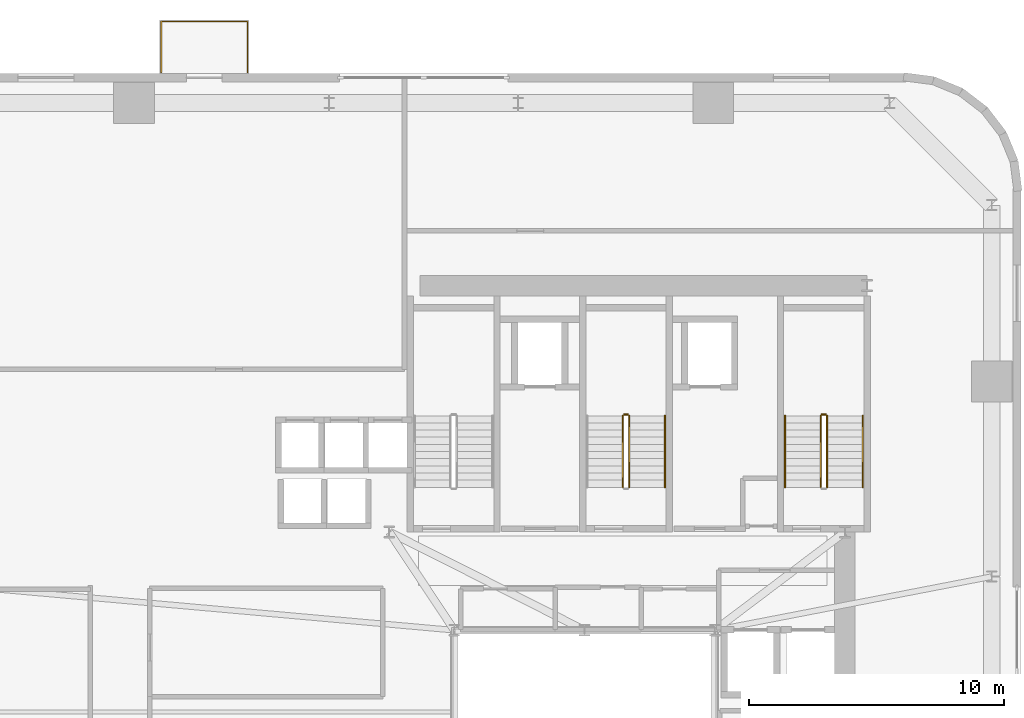
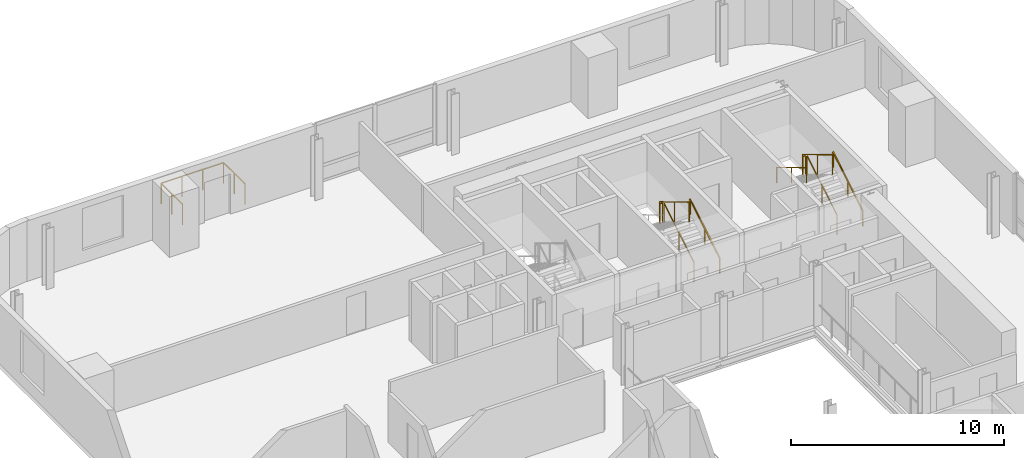
# One storey, part 13 of 13: 10 railings.
"""IFC4 building model written with IfcOpenShell, lengths in metres."""

import ifcopenshell
import ifcopenshell.guid

model = None  # the IFC model being written
_history = None  # IfcOwnerHistory: only IFC2X3 demands one
_inside = {}  # id of a spatial element -> (the spatial element, [elements in it])
_under = {}  # id of a project, library or spatial element -> (it, [spatial elements below it])
_declared = {}  # id of a project -> (the project, [libraries it declares])
_typed = {}  # id of a type object -> (the type object, [elements of that type])
_made_of = {}  # id of a material, layer set ... -> (it, [elements and type objects made of it])


def new_model(schema):
    """Start an empty IFC model of exactly this schema.

    Asked for "IFC4X3", IfcOpenShell would pick the latest addendum, in which some entities
    have other attributes; the version numbers below select the first issue.
    IFC2X3 requires an IfcOwnerHistory on every rooted entity: one is made here for all.
    """
    global model, _history
    if schema == "IFC4X3":
        model = ifcopenshell.file(schema_version=(4, 3, 0, 0))
    else:
        model = ifcopenshell.file(schema=schema)
    _inside.clear()
    _under.clear()
    _declared.clear()
    _typed.clear()
    _made_of.clear()
    _history = None
    if model.schema == "IFC2X3":
        org = make("IfcOrganization", Name="unknown")
        user = make(
            "IfcPersonAndOrganization",
            ThePerson=make("IfcPerson", FamilyName="unknown"),
            TheOrganization=org,
        )
        app = make(
            "IfcApplication",
            ApplicationDeveloper=org,
            Version="unknown",
            ApplicationFullName="unknown",
            ApplicationIdentifier="unknown",
        )
        _history = make(
            "IfcOwnerHistory",
            OwningUser=user,
            OwningApplication=app,
            ChangeAction="ADDED",
            CreationDate=0,
        )
    return model


def make(cls, **values):
    """One entity of the class cls with the attributes given. An attribute that is None is left unset."""
    return model.create_entity(
        cls, **{name: value for name, value in values.items() if value is not None}
    )


def rooted(cls, **values):
    """An entity with a GlobalId (a new one), such as an element, a storey or a relation."""
    return make(cls, GlobalId=ifcopenshell.guid.new(), OwnerHistory=_history, **values)


def si_unit(unit_type, name, prefix=None):
    """IfcSIUnit, for example si_unit("LENGTHUNIT", "METRE", prefix="MILLI")."""
    return make("IfcSIUnit", UnitType=unit_type, Prefix=prefix, Name=name)


def assignment(units):
    """IfcUnitAssignment: the units of a project."""
    return None if units is None else make("IfcUnitAssignment", Units=units)


def point(xyz):
    """IfcCartesianPoint."""
    return None if xyz is None else make("IfcCartesianPoint", Coordinates=xyz)


def direction(xyz):
    """IfcDirection."""
    return None if xyz is None else make("IfcDirection", DirectionRatios=xyz)


def frame(location, z_axis=None, x_axis=None):
    """IfcAxis2Placement3D, a coordinate frame: its origin and axes. An axis left out is left unset."""
    return make(
        "IfcAxis2Placement3D",
        Location=point(location),
        Axis=direction(z_axis),
        RefDirection=direction(x_axis),
    )


def frame_2d(location, x_axis=None):
    """IfcAxis2Placement2D, a coordinate frame in the plane: its origin and x axis."""
    return make(
        "IfcAxis2Placement2D", Location=point(location), RefDirection=direction(x_axis)
    )


def origin():
    """The frame at (0, 0, 0) with its axes left unset."""
    return frame((0.0, 0.0, 0.0))


def origin_2d():
    """The frame at (0, 0) in the plane with its x axis left unset."""
    return frame_2d((0.0, 0.0))


def place(relative_to, where):
    """IfcLocalPlacement: puts the frame where relative to a parent placement (None: the world)."""
    return make(
        "IfcLocalPlacement", PlacementRelTo=relative_to, RelativePlacement=where
    )


def context(
    kind, dimensions, precision=None, world=None, true_north=None, identifier=None
):
    """IfcGeometricRepresentationContext, for example the 3D "Model" context."""
    return make(
        "IfcGeometricRepresentationContext",
        ContextIdentifier=identifier,
        ContextType=kind,
        CoordinateSpaceDimension=dimensions,
        Precision=precision,
        WorldCoordinateSystem=world,
        TrueNorth=true_north,
    )


def subcontext(parent, identifier, kind, view, scale=None):
    """IfcGeometricRepresentationSubContext, for example "Body" below "Model"."""
    return make(
        "IfcGeometricRepresentationSubContext",
        ContextIdentifier=identifier,
        ContextType=kind,
        ParentContext=parent,
        TargetScale=scale,
        TargetView=view,
    )


def project(units=None, contexts=None):
    """IfcProject with its units and contexts."""
    return rooted(
        "IfcProject",
        Name="project",
        RepresentationContexts=contexts,
        UnitsInContext=assignment(units),
    )


def spatial(cls, under=None, at=None, **own):
    """A site, building, storey or space (cls), placed at a placement, below another one or the project."""
    s = rooted(cls, ObjectPlacement=at, **own)
    if under is not None:
        _under.setdefault(under.id(), (under, []))[1].append(s)
    return s


def profile(cls, at=None, kind="AREA", **sizes):
    """A parametric profile (cls). Its sizes go by their IFC names, for example OverallWidth=200.0."""
    return make(cls, ProfileType=kind, Position=at, **sizes)


def rectangle(**sizes):
    """IfcRectangleProfileDef."""
    return profile("IfcRectangleProfileDef", **sizes)


def extrude(swept, where, along, depth):
    """IfcExtrudedAreaSolid: the profile swept, set in the frame where, extruded along a direction by depth."""
    return make(
        "IfcExtrudedAreaSolid",
        SweptArea=swept,
        Position=where,
        ExtrudedDirection=direction(along),
        Depth=depth,
    )


def shape(context_of_items, identifier, shape_type, items):
    """IfcShapeRepresentation: the items that make up one representation, for example the "Body"."""
    return make(
        "IfcShapeRepresentation",
        ContextOfItems=context_of_items,
        RepresentationIdentifier=identifier,
        RepresentationType=shape_type,
        Items=items,
    )


def source(mapping_origin, context_of_items, identifier, shape_type, items):
    """IfcRepresentationMap: a shape defined once, which mapped items show again and again."""
    return make(
        "IfcRepresentationMap",
        MappingOrigin=mapping_origin,
        MappedRepresentation=shape(context_of_items, identifier, shape_type, items),
    )


def transform(
    local_origin,
    x_axis=None,
    y_axis=None,
    z_axis=None,
    scale=None,
    scale2=None,
    scale3=None,
    uniform=True,
):
    """IfcCartesianTransformationOperator3D, or its non-uniform kind. x_axis, y_axis, z_axis: its Axis1, 2, 3."""
    if uniform:
        return make(
            "IfcCartesianTransformationOperator3D",
            Axis1=direction(x_axis),
            Axis2=direction(y_axis),
            LocalOrigin=point(local_origin),
            Scale=scale,
            Axis3=direction(z_axis),
        )
    return make(
        "IfcCartesianTransformationOperator3DnonUniform",
        Axis1=direction(x_axis),
        Axis2=direction(y_axis),
        LocalOrigin=point(local_origin),
        Scale=scale,
        Axis3=direction(z_axis),
        Scale2=scale2,
        Scale3=scale3,
    )


def mapped(mapping_source, mapping_target):
    """IfcMappedItem: shows the shape of a source again, moved by a transform."""
    return make(
        "IfcMappedItem", MappingSource=mapping_source, MappingTarget=mapping_target
    )


def material(Name=None, Category=None):
    """IfcMaterial."""
    return make("IfcMaterial", Name=Name, Category=Category)


def made_of(thing, what):
    """Note that an element or type object is made of a material, layer set ...; save() writes the relation."""
    if what is not None:
        _made_of.setdefault(what.id(), (what, []))[1].append(thing)
    return thing


def type_object(cls, material=None, **own):
    """A type object (cls), such as IfcWallType, which elements share."""
    return made_of(rooted(cls, **own), material)


def element(
    cls,
    number,
    at=None,
    inside=None,
    cuts=None,
    type_object=None,
    material=None,
    context=None,
    identifier="Body",
    shape_type=None,
    held_by="IfcProductDefinitionShape",
    body=None,
    shapes=None,
    **own,
):
    """One element of the class cls, such as IfcWall. Its Tag is "e" and its number.

    at: its placement. inside: the storey or other place that contains it. cuts: it is an
    opening in that element (IfcRelVoidsElement). A single representation is given by context,
    identifier, shape_type and body (its items); several are given by shapes. held_by: the class
    of the entity that holds the representations. save() writes the other relations.
    """
    e = rooted(cls, Tag="e%d" % number, ObjectPlacement=at, **own)
    if body is not None:
        shapes = [shape(context, identifier, shape_type, body)]
    if shapes is not None:
        e.Representation = make(held_by, Representations=shapes)
    if inside is not None:
        _inside.setdefault(inside.id(), (inside, []))[1].append(e)
    if cuts is not None:
        rooted(
            "IfcRelVoidsElement", RelatingBuildingElement=cuts, RelatedOpeningElement=e
        )
    if type_object is not None:
        _typed.setdefault(type_object.id(), (type_object, []))[1].append(e)
    return made_of(e, material)


def aggregate(whole, parts):
    """IfcRelAggregates: a whole, such as a stair, and the parts it consists of."""
    return rooted("IfcRelAggregates", RelatingObject=whole, RelatedObjects=parts)


def save(model, path):
    """Write the relations noted so far, then the file.

    IfcRelAggregates (storeys below a building ...), IfcRelContainedInSpatialStructure (elements
    in a storey), IfcRelDefinesByType, IfcRelAssociatesMaterial and IfcRelDeclares: one each for
    every whole, place, type object, material and project.
    """
    for whole, parts in _under.values():
        aggregate(whole, parts)
    for where, things in _inside.values():
        rooted(
            "IfcRelContainedInSpatialStructure",
            RelatedElements=things,
            RelatingStructure=where,
        )
    for kind, things in _typed.values():
        rooted("IfcRelDefinesByType", RelatedObjects=things, RelatingType=kind)
    for what, things in _made_of.values():
        rooted("IfcRelAssociatesMaterial", RelatedObjects=things, RelatingMaterial=what)
    for by, libraries in _declared.values():
        rooted("IfcRelDeclares", RelatingContext=by, RelatedDefinitions=libraries)
    model.write(path)


model = new_model("IFC4")

# Units and contexts
model_context = context("Model", 3, precision=1e-05, world=origin(), true_north=direction((0.0, 1.0)))
body_context = subcontext(model_context, "Body", "Model", "MODEL_VIEW")
ifc_project = project(units=[si_unit("LENGTHUNIT", "METRE"), si_unit("AREAUNIT", "SQUARE_METRE"), si_unit("VOLUMEUNIT", "CUBIC_METRE"), si_unit("PLANEANGLEUNIT", "RADIAN"), si_unit("MASSUNIT", "GRAM", prefix="KILO")], contexts=[model_context])

# Site, building, storey
site_placement = place(None, origin())
site = spatial("IfcSite", under=ifc_project, at=site_placement, CompositionType="ELEMENT")
building_placement = place(site_placement, origin())
building = spatial("IfcBuilding", under=site, at=building_placement, Name="Vardaveli Station Tower", CompositionType="ELEMENT")
storey_placement = place(building_placement, frame((0.0, 0.0, 159.39990234375)))
storey = spatial("IfcBuildingStorey", under=building, at=storey_placement, Name="L41", CompositionType="ELEMENT", Elevation=159.39990234375)

# Railings
ifc_material_1 = material(Name="Laminated glass and stainless steel balustrade", Category="steel")
railing_type_1 = type_object("IfcRailingType", Name="RL-BAL-1200", PredefinedType="BALUSTRADE", material=ifc_material_1)
shared_shape_1 = source(origin(), body_context, "Body", "SweptSolid", [
    extrude(rectangle(XDim=0.048095703125, YDim=0.048095703125, at=origin_2d()), frame((0.0, 0.0, 1.17578125), z_axis=(0.0, 1.0, 0.0), x_axis=(-1.0, 0.0, 0.0)), (0.0, 0.0, 1.0), 2.0),
    extrude(rectangle(XDim=0.048095703125, YDim=0.048095703125, at=origin_2d()), frame((0.0, 2.0, 1.17578125), z_axis=(1.0, 0.0, 0.0), x_axis=(0.0, 1.0, 0.0)), (0.0, 0.0, 1.0), 3.3798828125),
    extrude(rectangle(XDim=0.048095703125, YDim=0.048095703125, at=origin_2d()), frame((3.3798828125, 2.0, 1.17578125), z_axis=(0.0, -1.0, 0.0), x_axis=(1.0, 0.0, 0.0)), (0.0, 0.0, 1.0), 2.0),
    extrude(rectangle(XDim=0.0419921875, YDim=0.0419921875, at=origin_2d()), origin(), (0.0, 0.0, 1.0), 1.15185546875),
    extrude(rectangle(XDim=0.0419921875, YDim=0.0419921875, at=origin_2d()), frame((0.0, 1.0, 0.0)), (0.0, 0.0, 1.0), 1.15185546875),
    extrude(rectangle(XDim=0.0419921875, YDim=0.0419921875, at=origin_2d()), frame((0.0, 2.0, 0.0)), (0.0, 0.0, 1.0), 1.15185546875),
    extrude(rectangle(XDim=0.0419921875, YDim=0.0419921875, at=origin_2d()), frame((1.126708984375, 2.0, 0.0)), (0.0, 0.0, 1.0), 1.15185546875),
    extrude(rectangle(XDim=0.0419921875, YDim=0.0419921875, at=origin_2d()), frame((2.253173828125, 2.0, 0.0)), (0.0, 0.0, 1.0), 1.15185546875),
    extrude(rectangle(XDim=0.0419921875, YDim=0.0419921875, at=origin_2d()), frame((3.3798828125, 2.0, 0.0)), (0.0, 0.0, 1.0), 1.15185546875),
    extrude(rectangle(XDim=0.0419921875, YDim=0.0419921875, at=origin_2d()), frame((3.3798828125, 1.0, 0.0)), (0.0, 0.0, 1.0), 1.15185546875),
    extrude(rectangle(XDim=0.0419921875, YDim=0.0419921875, at=origin_2d()), frame((3.3798828125, 0.0, 0.0)), (0.0, 0.0, 1.0), 1.15185546875),
])
railing_1_placement = place(storey_placement, frame((19.720458984375, 48.639892578125, 0.0)))
element("IfcRailing", 1, at=railing_1_placement, inside=storey, type_object=railing_type_1, Name="RL-LOG-L41-02", PredefinedType="BALUSTRADE", context=body_context, shape_type="MappedRepresentation", body=[
    mapped(shared_shape_1, transform((0.0, 0.0, 0.0), scale=1.0)),
])
ifc_material_2 = material(Name="Brushed AISI 316 stainless steel", Category="steel")
railing_type_2 = type_object("IfcRailingType", Name="RL-GUARD-1150", PredefinedType="GUARDRAIL", material=ifc_material_2)
shared_shape_2 = source(origin(), body_context, "Body", "SweptSolid", [
    extrude(rectangle(XDim=0.048095703125, YDim=0.048095703125, at=origin_2d()), frame((0.0, 0.0, 1.1259765625), z_axis=(-1.0, 0.0, 0.0), x_axis=(0.0, -1.0, 0.0)), (0.0, 0.0, 1.0), 0.14990234375),
    extrude(rectangle(XDim=0.0419921875, YDim=0.0419921875, at=origin_2d()), origin(), (0.0, 0.0, 1.0), 1.101806640625),
    extrude(rectangle(XDim=0.0419921875, YDim=0.0419921875, at=origin_2d()), frame((-0.14990234375, 0.0, 0.0)), (0.0, 0.0, 1.0), 1.101806640625),
])
for number, where, name in (
    (2, (38.0, 35.25, 1.85009765625), "L41 ST-2 stair guard 2"),
    (3, (45.75, 35.25, 1.85009765625), "L41 ST-3 stair guard 2"),
):
    element("IfcRailing", number, at=place(storey_placement, frame(where)), inside=storey, type_object=railing_type_2, Name=name, PredefinedType="GUARDRAIL", context=body_context, shape_type="MappedRepresentation", body=[
        mapped(shared_shape_2, transform((0.0, 0.0, 0.0), scale=1.0)),
    ])
shared_shape_3 = source(origin(), body_context, "Body", "SweptSolid", [
    extrude(rectangle(XDim=0.048095703125, YDim=0.048095703125, at=origin_2d()), frame((0.0, 0.0, 1.1259765625), z_axis=(0.0, -0.857242210791, 0.514913383045), x_axis=(1.0, 0.0, 0.0)), (0.0, 0.0, 1.0), 3.266357421875),
    extrude(rectangle(XDim=0.0419921875, YDim=0.0419921875, at=origin_2d()), origin(), (0.0, 0.0, 1.0), 1.101806640625),
    extrude(rectangle(XDim=0.0419921875, YDim=0.0419921875, at=origin_2d()), frame((0.0, -1.39990234375, 0.8408203125)), (0.0, 0.0, 1.0), 1.101806640625),
    extrude(rectangle(XDim=0.0419921875, YDim=0.0419921875, at=origin_2d()), frame((0.0, -2.800048828125, 1.681884765625)), (0.0, 0.0, 1.0), 1.101806640625),
])
for number, where, name in (
    (4, (37.800048828125, 35.199951171875, 2.018310546875), "L41 ST-2 stair guard 3"),
    (5, (45.550048828125, 35.199951171875, 2.018310546875), "L41 ST-3 stair guard 3"),
):
    element("IfcRailing", number, at=place(storey_placement, frame(where)), inside=storey, type_object=railing_type_2, Name=name, PredefinedType="GUARDRAIL", context=body_context, shape_type="MappedRepresentation", body=[
        mapped(shared_shape_3, transform((0.0, 0.0, 0.0), scale=1.0)),
    ])
railing_type_3 = type_object("IfcRailingType", Name="RL-HAND-900", PredefinedType="HANDRAIL", material=ifc_material_2)
shared_shape_4 = source(origin(), body_context, "Body", "SweptSolid", [
    extrude(rectangle(XDim=0.048095703125, YDim=0.048095703125, at=origin_2d()), frame((0.0, 0.0, 0.8759765625), z_axis=(0.0, -0.857242210791, 0.514913383045), x_axis=(1.0, 0.0, 0.0)), (0.0, 0.0, 1.0), 3.266357421875),
    extrude(rectangle(XDim=0.0419921875, YDim=0.0419921875, at=origin_2d()), origin(), (0.0, 0.0, 1.0), 0.851806640625),
    extrude(rectangle(XDim=0.0419921875, YDim=0.0419921875, at=origin_2d()), frame((0.0, -1.39990234375, 0.8408203125)), (0.0, 0.0, 1.0), 0.851806640625),
    extrude(rectangle(XDim=0.0419921875, YDim=0.0419921875, at=origin_2d()), frame((0.0, -2.800048828125, 1.681884765625)), (0.0, 0.0, 1.0), 0.851806640625),
])
railing_2_placement = place(storey_placement, frame((44.14990234375, 35.199951171875, 2.018310546875)))
element("IfcRailing", 6, at=railing_2_placement, inside=storey, type_object=railing_type_3, Name="L41 ST-3 stair handrail 2", PredefinedType="HANDRAIL", context=body_context, shape_type="MappedRepresentation", body=[
    mapped(shared_shape_4, transform((0.0, 0.0, 0.0), scale=1.0)),
])
shared_shape_5 = source(origin(), body_context, "Body", "SweptSolid", [
    extrude(rectangle(XDim=0.048095703125, YDim=0.048095703125, at=origin_2d()), frame((0.0, 0.0, 1.1259765625), z_axis=(0.0, 0.857242210791, 0.514913383045), x_axis=(-1.0, 0.0, 0.0)), (0.0, 0.0, 1.0), 3.266357421875),
    extrude(rectangle(XDim=0.0419921875, YDim=0.0419921875, at=origin_2d()), origin(), (0.0, 0.0, 1.0), 1.101806640625),
    extrude(rectangle(XDim=0.0419921875, YDim=0.0419921875, at=origin_2d()), frame((0.0, 1.39990234375, 0.8408203125)), (0.0, 0.0, 1.0), 1.101806640625),
    extrude(rectangle(XDim=0.0419921875, YDim=0.0419921875, at=origin_2d()), frame((0.0, 2.800048828125, 1.681884765625)), (0.0, 0.0, 1.0), 1.101806640625),
])
for number, where, name in (
    (7, (38.050048828125, 32.39990234375, 0.168212890625), "L41 ST-2 stair guard 1"),
    (8, (45.800048828125, 32.39990234375, 0.168212890625), "L41 ST-3 stair guard 1"),
):
    element("IfcRailing", number, at=place(storey_placement, frame(where)), inside=storey, type_object=railing_type_2, Name=name, PredefinedType="GUARDRAIL", context=body_context, shape_type="MappedRepresentation", body=[
        mapped(shared_shape_5, transform((0.0, 0.0, 0.0), scale=1.0)),
    ])
shared_shape_6 = source(origin(), body_context, "Body", "SweptSolid", [
    extrude(rectangle(XDim=0.048095703125, YDim=0.048095703125, at=origin_2d()), frame((0.0, 0.0, 0.8759765625), z_axis=(0.0, 0.857242210791, 0.514913383045), x_axis=(-1.0, 0.0, 0.0)), (0.0, 0.0, 1.0), 3.266357421875),
    extrude(rectangle(XDim=0.0419921875, YDim=0.0419921875, at=origin_2d()), origin(), (0.0, 0.0, 1.0), 0.851806640625),
    extrude(rectangle(XDim=0.0419921875, YDim=0.0419921875, at=origin_2d()), frame((0.0, 1.39990234375, 0.8408203125)), (0.0, 0.0, 1.0), 0.851806640625),
    extrude(rectangle(XDim=0.0419921875, YDim=0.0419921875, at=origin_2d()), frame((0.0, 2.800048828125, 1.681884765625)), (0.0, 0.0, 1.0), 0.851806640625),
])
for number, where, name in (
    (9, (39.449951171875, 32.39990234375, 0.168212890625), "L41 ST-2 stair handrail 1"),
    (10, (47.199951171875, 32.39990234375, 0.168212890625), "L41 ST-3 stair handrail 1"),
):
    element("IfcRailing", number, at=place(storey_placement, frame(where)), inside=storey, type_object=railing_type_3, Name=name, PredefinedType="HANDRAIL", context=body_context, shape_type="MappedRepresentation", body=[
        mapped(shared_shape_6, transform((0.0, 0.0, 0.0), scale=1.0)),
    ])

save(model, "model.ifc")
